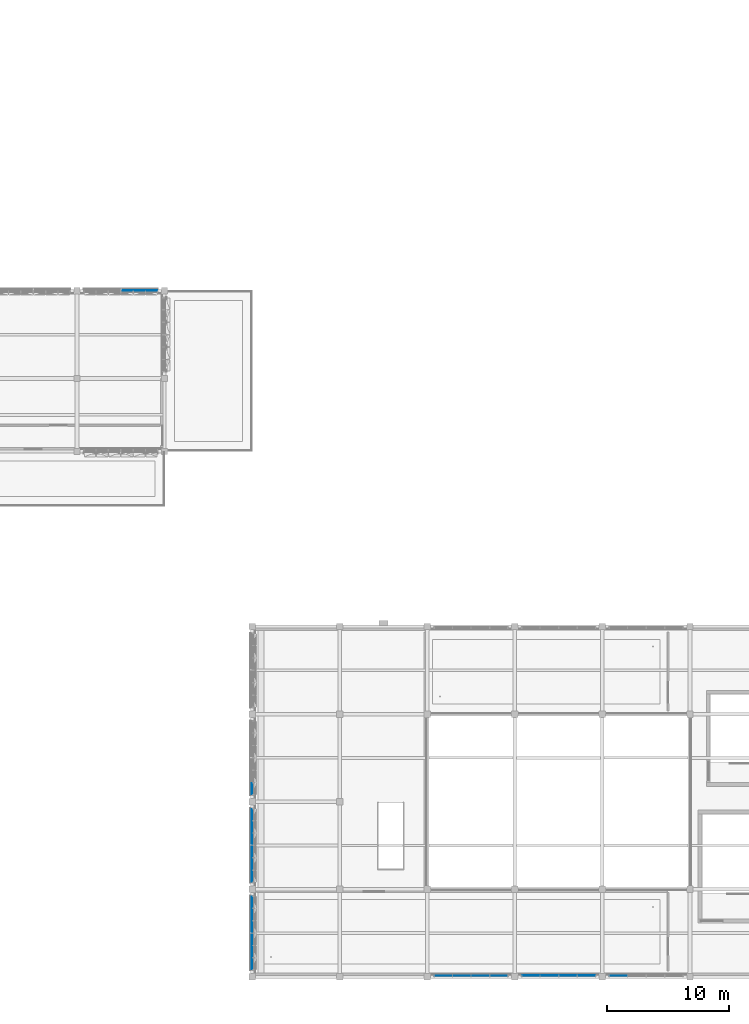
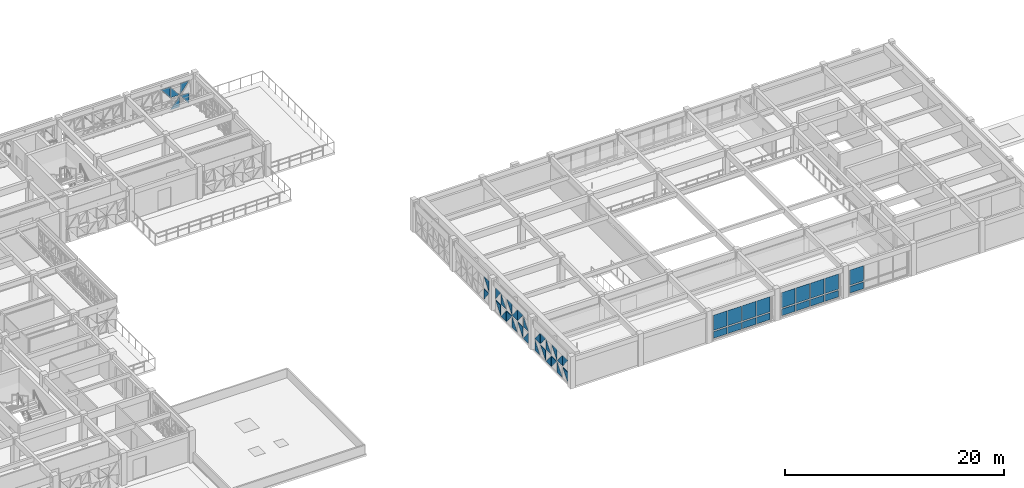
# One storey, part 30 of 74: 49 plates, 7 elements without a shape of their own.
"""IFC4 building model written with IfcOpenShell, lengths in metres."""

from ifc_helpers import new_model, si_unit, direction, frame, origin, origin_2d, place, context, subcontext, project, spatial, polyline, rectangle, outline, extrude, material, layer, layer_set, type_object, element, aggregate, save


model = new_model("IFC4")

# Units and contexts
model_context = context("Model", 3, precision=1e-05, world=origin(), true_north=direction((0.0, 1.0)))
body_context = subcontext(model_context, "Body", "Model", "MODEL_VIEW")
ifc_project = project(units=[si_unit("LENGTHUNIT", "METRE"), si_unit("AREAUNIT", "SQUARE_METRE"), si_unit("VOLUMEUNIT", "CUBIC_METRE"), si_unit("PLANEANGLEUNIT", "RADIAN"), si_unit("MASSUNIT", "GRAM", prefix="KILO")], contexts=[model_context])

# Site, building, storey
site_placement = place(None, origin())
site = spatial("IfcSite", under=ifc_project, at=site_placement, CompositionType="ELEMENT")
building_placement = place(site_placement, origin())
building = spatial("IfcBuilding", under=site, at=building_placement, Name="Alvorim Cloister Faculty of Sciences", CompositionType="ELEMENT")
storey_placement = place(building_placement, frame((0.0, 0.0, 15.75)))
storey = spatial("IfcBuildingStorey", under=building, at=storey_placement, Name="L04", CompositionType="ELEMENT", Elevation=15.75)

# Curtain wall, plates
ifc_material_1 = material(Name="Aluminium and Low-E Glass Curtain Wall", Category="aluminium")
curtain_wall_type_1 = type_object("IfcCurtainWallType", Name="CW-GLZ-6120x2850", PredefinedType="USERDEFINED", material=ifc_material_1)
curtain_wall_1_placement = place(storey_placement, origin())
curtain_wall_1 = element("IfcCurtainWall", 1, at=curtain_wall_1_placement, inside=storey, type_object=curtain_wall_type_1, Name="L04 Entrance and Atrium Glazed Curtain Wall CW-0203", ObjectType="UNITISED CURTAIN WALL", PredefinedType="USERDEFINED")
ifc_material_2 = material(Name="Double Low-E Laminated Glass", Category="glass")
ifc_layer_1 = layer(ifc_material_2, 0.031982421875)
ifc_layer_set_1 = layer_set([ifc_layer_1], Name="Double Low-E Laminated Glass")
plate_type_1 = type_object("IfcPlateType", Name="PN-GLZ-32", PredefinedType="CURTAIN_PANEL", material=ifc_layer_set_1)
plate_1_placement = place(storey_placement, frame((94.921142578125, 0.090087890625, 0.14013671875), z_axis=(0.0, 0.0, 1.0), x_axis=(1.0, 0.0, 0.0)))
plate_1 = element("IfcPlate", 2, at=plate_1_placement, type_object=plate_type_1, Name="CW-10 panel 1.1", PredefinedType="CURTAIN_PANEL", context=body_context, shape_type="SweptSolid", body=[
    extrude(rectangle(XDim=1.4326171875, YDim=0.031982421875, at=origin_2d()), origin(), (0.0, 0.0, 1.0), 0.739990234375),
])
plate_2_placement = place(storey_placement, frame((94.921142578125, 0.090087890625, 1.02001953125), z_axis=(0.0, 0.0, 1.0), x_axis=(1.0, 0.0, 0.0)))
plate_2 = element("IfcPlate", 3, at=plate_2_placement, type_object=plate_type_1, Name="CW-10 panel 1.2", PredefinedType="CURTAIN_PANEL", context=body_context, shape_type="SweptSolid", body=[
    extrude(rectangle(XDim=1.4326171875, YDim=0.031982421875, at=origin_2d()), origin(), (0.0, 0.0, 1.0), 1.68994140625),
])
aggregate(curtain_wall_1, [plate_1, plate_2])

curtain_wall_2_placement = place(storey_placement, origin())
curtain_wall_2 = element("IfcCurtainWall", 4, at=curtain_wall_2_placement, inside=storey, type_object=curtain_wall_type_1, Name="L04 Entrance and Atrium Glazed Curtain Wall CW-0205", ObjectType="UNITISED CURTAIN WALL", PredefinedType="USERDEFINED")
plate_3_placement = place(storey_placement, frame((80.521240234375, 0.090087890625, 0.14013671875), z_axis=(0.0, 0.0, 1.0), x_axis=(1.0, 0.0, 0.0)))
plate_3 = element("IfcPlate", 5, at=plate_3_placement, type_object=plate_type_1, Name="CW-10 panel 1.1", PredefinedType="CURTAIN_PANEL", context=body_context, shape_type="SweptSolid", body=[
    extrude(rectangle(XDim=1.4326171875, YDim=0.031982421875, at=origin_2d()), origin(), (0.0, 0.0, 1.0), 0.739990234375),
])
plate_4_placement = place(storey_placement, frame((80.521240234375, 0.090087890625, 1.02001953125), z_axis=(0.0, 0.0, 1.0), x_axis=(1.0, 0.0, 0.0)))
plate_4 = element("IfcPlate", 6, at=plate_4_placement, type_object=plate_type_1, Name="CW-10 panel 1.2", PredefinedType="CURTAIN_PANEL", context=body_context, shape_type="SweptSolid", body=[
    extrude(rectangle(XDim=1.4326171875, YDim=0.031982421875, at=origin_2d()), origin(), (0.0, 0.0, 1.0), 1.68994140625),
])
plate_5_placement = place(storey_placement, frame((82.034912109375, 0.090087890625, 0.14013671875), z_axis=(0.0, 0.0, 1.0), x_axis=(1.0, 0.0, 0.0)))
plate_5 = element("IfcPlate", 7, at=plate_5_placement, type_object=plate_type_1, Name="CW-10 panel 2.1", PredefinedType="CURTAIN_PANEL", context=body_context, shape_type="SweptSolid", body=[
    extrude(rectangle(XDim=1.465087890625, YDim=0.031982421875, at=origin_2d()), origin(), (0.0, 0.0, 1.0), 0.739990234375),
])
plate_6_placement = place(storey_placement, frame((82.034912109375, 0.090087890625, 1.02001953125), z_axis=(0.0, 0.0, 1.0), x_axis=(1.0, 0.0, 0.0)))
plate_6 = element("IfcPlate", 8, at=plate_6_placement, type_object=plate_type_1, Name="CW-10 panel 2.2", PredefinedType="CURTAIN_PANEL", context=body_context, shape_type="SweptSolid", body=[
    extrude(rectangle(XDim=1.465087890625, YDim=0.031982421875, at=origin_2d()), origin(), (0.0, 0.0, 1.0), 1.68994140625),
])
plate_7_placement = place(storey_placement, frame((83.56494140625, 0.090087890625, 0.14013671875), z_axis=(0.0, 0.0, 1.0), x_axis=(1.0, 0.0, 0.0)))
plate_7 = element("IfcPlate", 9, at=plate_7_placement, type_object=plate_type_1, Name="CW-10 panel 3.1", PredefinedType="CURTAIN_PANEL", context=body_context, shape_type="SweptSolid", body=[
    extrude(rectangle(XDim=1.465087890625, YDim=0.031982421875, at=origin_2d()), origin(), (0.0, 0.0, 1.0), 0.739990234375),
])
plate_8_placement = place(storey_placement, frame((83.56494140625, 0.090087890625, 1.02001953125), z_axis=(0.0, 0.0, 1.0), x_axis=(1.0, 0.0, 0.0)))
plate_8 = element("IfcPlate", 10, at=plate_8_placement, type_object=plate_type_1, Name="CW-10 panel 3.2", PredefinedType="CURTAIN_PANEL", context=body_context, shape_type="SweptSolid", body=[
    extrude(rectangle(XDim=1.465087890625, YDim=0.031982421875, at=origin_2d()), origin(), (0.0, 0.0, 1.0), 1.68994140625),
])
plate_9_placement = place(storey_placement, frame((85.078857421875, 0.090087890625, 0.14013671875), z_axis=(0.0, 0.0, 1.0), x_axis=(1.0, 0.0, 0.0)))
plate_9 = element("IfcPlate", 11, at=plate_9_placement, type_object=plate_type_1, Name="CW-10 panel 4.1", PredefinedType="CURTAIN_PANEL", context=body_context, shape_type="SweptSolid", body=[
    extrude(rectangle(XDim=1.4326171875, YDim=0.031982421875, at=origin_2d()), origin(), (0.0, 0.0, 1.0), 0.739990234375),
])
plate_10_placement = place(storey_placement, frame((85.078857421875, 0.090087890625, 1.02001953125), z_axis=(0.0, 0.0, 1.0), x_axis=(1.0, 0.0, 0.0)))
plate_10 = element("IfcPlate", 12, at=plate_10_placement, type_object=plate_type_1, Name="CW-10 panel 4.2", PredefinedType="CURTAIN_PANEL", context=body_context, shape_type="SweptSolid", body=[
    extrude(rectangle(XDim=1.4326171875, YDim=0.031982421875, at=origin_2d()), origin(), (0.0, 0.0, 1.0), 1.68994140625),
])
aggregate(curtain_wall_2, [plate_3, plate_4, plate_5, plate_6, plate_7, plate_8, plate_9, plate_10])

curtain_wall_type_2 = type_object("IfcCurtainWallType", Name="CW-TRI-6120x2850", PredefinedType="USERDEFINED", material=ifc_material_1)
curtain_wall_3_placement = place(storey_placement, origin())
curtain_wall_3 = element("IfcCurtainWall", 13, at=curtain_wall_3_placement, inside=storey, type_object=curtain_wall_type_2, Name="L04 Diagonal Cassette Curtain Wall CW-0193", ObjectType="UNITISED CURTAIN WALL", PredefinedType="USERDEFINED")
ifc_layer_2 = layer(ifc_material_2, 0.0400390625)
ifc_layer_set_2 = layer_set([ifc_layer_2], Name="Double Low-E Laminated Glass")
plate_type_2 = type_object("IfcPlateType", Name="PN-GLZ-40", PredefinedType="CURTAIN_PANEL", material=ifc_layer_set_2)
plate_11_placement = place(storey_placement, frame((54.032470703125, 56.425048828125, 1.4951171875), z_axis=(0.0, 0.0, 1.0), x_axis=(1.0, 0.0, 0.0)))
plate_11 = element("IfcPlate", 14, at=plate_11_placement, type_object=plate_type_2, Name="Diagonal Glazed Triangle TRI-TR", PredefinedType="CURTAIN_PANEL", context=body_context, shape_type="SweptSolid", body=[
    extrude(outline(polyline([(0.955078125, 0.001953125), (0.955078125, 1.21484375), (0.001953125, 1.21484375), (0.955078125, 0.001953125)])), frame((0.0, 0.02490234375, 0.0), z_axis=(0.0, -1.0, 0.0), x_axis=(1.0, 0.0, 0.0)), (0.0, 0.0, 1.0), 0.050048828125),
])
plate_12_placement = place(storey_placement, frame((55.052490234375, 56.425048828125, 0.139892578125), z_axis=(0.0, 0.0, 1.0), x_axis=(1.0, 0.0, 0.0)))
plate_12 = element("IfcPlate", 15, at=plate_12_placement, type_object=plate_type_2, Name="Diagonal Glazed Triangle TRI-BR", PredefinedType="CURTAIN_PANEL", context=body_context, shape_type="SweptSolid", body=[
    extrude(outline(polyline([(0.001953125, 0.0), (0.955078125, 0.0), (0.955078125, 1.213134765625), (0.001953125, 0.0)])), frame((0.0, 0.02490234375, 0.0), z_axis=(0.0, -1.0, 0.0), x_axis=(1.0, 0.0, 0.0)), (0.0, 0.0, 1.0), 0.050048828125),
])
plate_13_placement = place(storey_placement, frame((55.052490234375, 56.425048828125, 1.4951171875), z_axis=(0.0, 0.0, 1.0), x_axis=(1.0, 0.0, 0.0)))
plate_13 = element("IfcPlate", 16, at=plate_13_placement, type_object=plate_type_2, Name="Diagonal Glazed Triangle TRI-BL", PredefinedType="CURTAIN_PANEL", context=body_context, shape_type="SweptSolid", body=[
    extrude(outline(polyline([(0.0, 0.0), (0.953125, 0.0), (0.0, 1.212890625), (0.0, 0.0)])), frame((0.0, 0.02490234375, 0.0), z_axis=(0.0, -1.0, 0.0), x_axis=(1.0, 0.0, 0.0)), (0.0, 0.0, 1.0), 0.050048828125),
])
plate_14_placement = place(storey_placement, frame((56.072509765625, 56.425048828125, 0.139892578125), z_axis=(0.0, 0.0, 1.0), x_axis=(1.0, 0.0, 0.0)))
plate_14 = element("IfcPlate", 17, at=plate_14_placement, type_object=plate_type_2, Name="Diagonal Glazed Triangle TRI-TR", PredefinedType="CURTAIN_PANEL", context=body_context, shape_type="SweptSolid", body=[
    extrude(outline(polyline([(0.922607421875, 0.001953125), (0.922607421875, 1.215087890625), (0.001953125, 1.215087890625), (0.922607421875, 0.001953125)])), frame((0.0, 0.02490234375, 0.0), z_axis=(0.0, -1.0, 0.0), x_axis=(1.0, 0.0, 0.0)), (0.0, 0.0, 1.0), 0.050048828125),
])
plate_15_placement = place(storey_placement, frame((56.072509765625, 56.425048828125, 1.4951171875), z_axis=(0.0, 0.0, 1.0), x_axis=(1.0, 0.0, 0.0)))
plate_15 = element("IfcPlate", 18, at=plate_15_placement, type_object=plate_type_2, Name="Diagonal Glazed Triangle TRI-TL", PredefinedType="CURTAIN_PANEL", context=body_context, shape_type="SweptSolid", body=[
    extrude(outline(polyline([(0.920654296875, 1.21484375), (0.0, 1.21484375), (0.0, 0.001953125), (0.920654296875, 1.21484375)])), frame((0.0, 0.02490234375, 0.0), z_axis=(0.0, -1.0, 0.0), x_axis=(1.0, 0.0, 0.0)), (0.0, 0.0, 1.0), 0.050048828125),
])
aggregate(curtain_wall_3, [plate_11, plate_12, plate_13, plate_14, plate_15])

curtain_wall_4_placement = place(storey_placement, origin())
curtain_wall_4 = element("IfcCurtainWall", 19, at=curtain_wall_4_placement, inside=storey, type_object=curtain_wall_type_1, Name="L04 Entrance and Atrium Glazed Curtain Wall CW-0204", ObjectType="UNITISED CURTAIN WALL", PredefinedType="USERDEFINED")
plate_16_placement = place(storey_placement, frame((87.72119140625, 0.090087890625, 0.14013671875), z_axis=(0.0, 0.0, 1.0), x_axis=(1.0, 0.0, 0.0)))
plate_16 = element("IfcPlate", 20, at=plate_16_placement, type_object=plate_type_2, Name="CW-10 panel 1.1", PredefinedType="CURTAIN_PANEL", context=body_context, shape_type="SweptSolid", body=[
    extrude(rectangle(XDim=1.4326171875, YDim=0.0400390625, at=origin_2d()), origin(), (0.0, 0.0, 1.0), 0.739990234375),
])
plate_17_placement = place(storey_placement, frame((87.72119140625, 0.090087890625, 1.02001953125), z_axis=(0.0, 0.0, 1.0), x_axis=(1.0, 0.0, 0.0)))
plate_17 = element("IfcPlate", 21, at=plate_17_placement, type_object=plate_type_2, Name="CW-10 panel 1.2", PredefinedType="CURTAIN_PANEL", context=body_context, shape_type="SweptSolid", body=[
    extrude(rectangle(XDim=1.4326171875, YDim=0.0400390625, at=origin_2d()), origin(), (0.0, 0.0, 1.0), 1.68994140625),
])
plate_18_placement = place(storey_placement, frame((89.235107421875, 0.090087890625, 0.14013671875), z_axis=(0.0, 0.0, 1.0), x_axis=(1.0, 0.0, 0.0)))
plate_18 = element("IfcPlate", 22, at=plate_18_placement, type_object=plate_type_2, Name="CW-10 panel 2.1", PredefinedType="CURTAIN_PANEL", context=body_context, shape_type="SweptSolid", body=[
    extrude(rectangle(XDim=1.465087890625, YDim=0.0400390625, at=origin_2d()), origin(), (0.0, 0.0, 1.0), 0.739990234375),
])
plate_19_placement = place(storey_placement, frame((89.235107421875, 0.090087890625, 1.02001953125), z_axis=(0.0, 0.0, 1.0), x_axis=(1.0, 0.0, 0.0)))
plate_19 = element("IfcPlate", 23, at=plate_19_placement, type_object=plate_type_2, Name="CW-10 panel 2.2", PredefinedType="CURTAIN_PANEL", context=body_context, shape_type="SweptSolid", body=[
    extrude(rectangle(XDim=1.465087890625, YDim=0.0400390625, at=origin_2d()), origin(), (0.0, 0.0, 1.0), 1.68994140625),
])
plate_20_placement = place(storey_placement, frame((90.764892578125, 0.090087890625, 0.14013671875), z_axis=(0.0, 0.0, 1.0), x_axis=(1.0, 0.0, 0.0)))
plate_20 = element("IfcPlate", 24, at=plate_20_placement, type_object=plate_type_2, Name="CW-10 panel 3.1", PredefinedType="CURTAIN_PANEL", context=body_context, shape_type="SweptSolid", body=[
    extrude(rectangle(XDim=1.465087890625, YDim=0.0400390625, at=origin_2d()), origin(), (0.0, 0.0, 1.0), 0.739990234375),
])
plate_21_placement = place(storey_placement, frame((90.764892578125, 0.090087890625, 1.02001953125), z_axis=(0.0, 0.0, 1.0), x_axis=(1.0, 0.0, 0.0)))
plate_21 = element("IfcPlate", 25, at=plate_21_placement, type_object=plate_type_2, Name="CW-10 panel 3.2", PredefinedType="CURTAIN_PANEL", context=body_context, shape_type="SweptSolid", body=[
    extrude(rectangle(XDim=1.465087890625, YDim=0.0400390625, at=origin_2d()), origin(), (0.0, 0.0, 1.0), 1.68994140625),
])
plate_22_placement = place(storey_placement, frame((92.27880859375, 0.090087890625, 0.14013671875), z_axis=(0.0, 0.0, 1.0), x_axis=(1.0, 0.0, 0.0)))
plate_22 = element("IfcPlate", 26, at=plate_22_placement, type_object=plate_type_2, Name="CW-10 panel 4.1", PredefinedType="CURTAIN_PANEL", context=body_context, shape_type="SweptSolid", body=[
    extrude(rectangle(XDim=1.4326171875, YDim=0.0400390625, at=origin_2d()), origin(), (0.0, 0.0, 1.0), 0.739990234375),
])
plate_23_placement = place(storey_placement, frame((92.27880859375, 0.090087890625, 1.02001953125), z_axis=(0.0, 0.0, 1.0), x_axis=(1.0, 0.0, 0.0)))
plate_23 = element("IfcPlate", 27, at=plate_23_placement, type_object=plate_type_2, Name="CW-10 panel 4.2", PredefinedType="CURTAIN_PANEL", context=body_context, shape_type="SweptSolid", body=[
    extrude(rectangle(XDim=1.4326171875, YDim=0.0400390625, at=origin_2d()), origin(), (0.0, 0.0, 1.0), 1.68994140625),
])
aggregate(curtain_wall_4, [plate_16, plate_17, plate_18, plate_19, plate_20, plate_21, plate_22, plate_23])

curtain_wall_type_3 = type_object("IfcCurtainWallType", Name="CW-TRI-6120x2746", PredefinedType="USERDEFINED", material=ifc_material_1)
curtain_wall_5_placement = place(storey_placement, origin())
curtain_wall_5 = element("IfcCurtainWall", 28, at=curtain_wall_5_placement, inside=storey, type_object=curtain_wall_type_3, Name="L04 Diagonal Cassette Curtain Wall CW-0206", ObjectType="UNITISED CURTAIN WALL", PredefinedType="USERDEFINED")
plate_24_placement = place(storey_placement, frame((64.77490234375, 0.60498046875, 0.139892578125), z_axis=(0.0, 0.0, 1.0), x_axis=(0.0, 1.0, 0.0)))
plate_24 = element("IfcPlate", 29, at=plate_24_placement, type_object=plate_type_2, Name="Diagonal Glazed Triangle TRI-TL", PredefinedType="CURTAIN_PANEL", context=body_context, shape_type="SweptSolid", body=[
    extrude(outline(polyline([(0.920654296875, 1.162841796875), (0.0, 1.162841796875), (0.0, 0.001953125), (0.920654296875, 1.162841796875)])), frame((0.0, 0.02490234375, 0.0), z_axis=(0.0, -1.0, 0.0), x_axis=(1.0, 0.0, 0.0)), (0.0, 0.0, 1.0), 0.050048828125),
])
plate_25_placement = place(storey_placement, frame((64.77490234375, 0.60498046875, 1.44287109375), z_axis=(0.0, 0.0, 1.0), x_axis=(0.0, 1.0, 0.0)))
plate_25 = element("IfcPlate", 30, at=plate_25_placement, type_object=plate_type_2, Name="Diagonal Glazed Triangle TRI-TR", PredefinedType="CURTAIN_PANEL", context=body_context, shape_type="SweptSolid", body=[
    extrude(outline(polyline([(0.922607421875, 0.001953125), (0.922607421875, 1.162841796875), (0.001953125, 1.162841796875), (0.922607421875, 0.001953125)])), frame((0.0, 0.02490234375, 0.0), z_axis=(0.0, -1.0, 0.0), x_axis=(1.0, 0.0, 0.0)), (0.0, 0.0, 1.0), 0.050048828125),
])
plate_26_placement = place(storey_placement, frame((64.77490234375, 1.592529296875, 0.139892578125), z_axis=(0.0, 0.0, 1.0), x_axis=(0.0, 1.0, 0.0)))
plate_26 = element("IfcPlate", 31, at=plate_26_placement, type_object=plate_type_2, Name="Diagonal Glazed Triangle TRI-BR", PredefinedType="CURTAIN_PANEL", context=body_context, shape_type="SweptSolid", body=[
    extrude(outline(polyline([(0.001953125, 0.0), (0.955078125, 0.0), (0.955078125, 1.160888671875), (0.001953125, 0.0)])), frame((0.0, 0.02490234375, 0.0), z_axis=(0.0, -1.0, 0.0), x_axis=(1.0, 0.0, 0.0)), (0.0, 0.0, 1.0), 0.050048828125),
])
plate_27_placement = place(storey_placement, frame((64.77490234375, 1.592529296875, 1.44287109375), z_axis=(0.0, 0.0, 1.0), x_axis=(0.0, 1.0, 0.0)))
plate_27 = element("IfcPlate", 32, at=plate_27_placement, type_object=plate_type_2, Name="Diagonal Glazed Triangle TRI-BL", PredefinedType="CURTAIN_PANEL", context=body_context, shape_type="SweptSolid", body=[
    extrude(outline(polyline([(0.0, 0.0), (0.953125, 0.0), (0.0, 1.160888671875), (0.0, 0.0)])), frame((0.0, 0.02490234375, 0.0), z_axis=(0.0, -1.0, 0.0), x_axis=(1.0, 0.0, 0.0)), (0.0, 0.0, 1.0), 0.050048828125),
])
plate_28_placement = place(storey_placement, frame((64.77490234375, 2.612548828125, 0.139892578125), z_axis=(0.0, 0.0, 1.0), x_axis=(0.0, 1.0, 0.0)))
plate_28 = element("IfcPlate", 33, at=plate_28_placement, type_object=plate_type_2, Name="Diagonal Glazed Triangle TRI-TR", PredefinedType="CURTAIN_PANEL", context=body_context, shape_type="SweptSolid", body=[
    extrude(outline(polyline([(0.955078125, 0.001953125), (0.955078125, 1.162841796875), (0.001953125, 1.162841796875), (0.955078125, 0.001953125)])), frame((0.0, 0.02490234375, 0.0), z_axis=(0.0, -1.0, 0.0), x_axis=(1.0, 0.0, 0.0)), (0.0, 0.0, 1.0), 0.050048828125),
])
plate_29_placement = place(storey_placement, frame((64.77490234375, 2.612548828125, 1.44287109375), z_axis=(0.0, 0.0, 1.0), x_axis=(0.0, 1.0, 0.0)))
plate_29 = element("IfcPlate", 34, at=plate_29_placement, type_object=plate_type_2, Name="Diagonal Glazed Triangle TRI-TL", PredefinedType="CURTAIN_PANEL", context=body_context, shape_type="SweptSolid", body=[
    extrude(outline(polyline([(0.953125, 1.162841796875), (0.0, 1.162841796875), (0.0, 0.001953125), (0.953125, 1.162841796875)])), frame((0.0, 0.02490234375, 0.0), z_axis=(0.0, -1.0, 0.0), x_axis=(1.0, 0.0, 0.0)), (0.0, 0.0, 1.0), 0.050048828125),
])
plate_30_placement = place(storey_placement, frame((64.77490234375, 3.632568359375, 0.139892578125), z_axis=(0.0, 0.0, 1.0), x_axis=(0.0, 1.0, 0.0)))
plate_30 = element("IfcPlate", 35, at=plate_30_placement, type_object=plate_type_2, Name="Diagonal Glazed Triangle TRI-BL", PredefinedType="CURTAIN_PANEL", context=body_context, shape_type="SweptSolid", body=[
    extrude(outline(polyline([(0.0, 0.0), (0.953125, 0.0), (0.0, 1.160888671875), (0.0, 0.0)])), frame((0.0, 0.02490234375, 0.0), z_axis=(0.0, -1.0, 0.0), x_axis=(1.0, 0.0, 0.0)), (0.0, 0.0, 1.0), 0.050048828125),
])
plate_31_placement = place(storey_placement, frame((64.77490234375, 3.632568359375, 1.44287109375), z_axis=(0.0, 0.0, 1.0), x_axis=(0.0, 1.0, 0.0)))
plate_31 = element("IfcPlate", 36, at=plate_31_placement, type_object=plate_type_2, Name="Diagonal Glazed Triangle TRI-BR", PredefinedType="CURTAIN_PANEL", context=body_context, shape_type="SweptSolid", body=[
    extrude(outline(polyline([(0.001953125, 0.0), (0.955078125, 0.0), (0.955078125, 1.160888671875), (0.001953125, 0.0)])), frame((0.0, 0.02490234375, 0.0), z_axis=(0.0, -1.0, 0.0), x_axis=(1.0, 0.0, 0.0)), (0.0, 0.0, 1.0), 0.050048828125),
])
plate_32_placement = place(storey_placement, frame((64.77490234375, 4.652587890625, 0.139892578125), z_axis=(0.0, 0.0, 1.0), x_axis=(0.0, 1.0, 0.0)))
plate_32 = element("IfcPlate", 37, at=plate_32_placement, type_object=plate_type_2, Name="Diagonal Glazed Triangle TRI-TL", PredefinedType="CURTAIN_PANEL", context=body_context, shape_type="SweptSolid", body=[
    extrude(outline(polyline([(0.953125, 1.162841796875), (0.0, 1.162841796875), (0.0, 0.001953125), (0.953125, 1.162841796875)])), frame((0.0, 0.02490234375, 0.0), z_axis=(0.0, -1.0, 0.0), x_axis=(1.0, 0.0, 0.0)), (0.0, 0.0, 1.0), 0.050048828125),
])
plate_33_placement = place(storey_placement, frame((64.77490234375, 4.652587890625, 1.44287109375), z_axis=(0.0, 0.0, 1.0), x_axis=(0.0, 1.0, 0.0)))
plate_33 = element("IfcPlate", 38, at=plate_33_placement, type_object=plate_type_2, Name="Diagonal Glazed Triangle TRI-TR", PredefinedType="CURTAIN_PANEL", context=body_context, shape_type="SweptSolid", body=[
    extrude(outline(polyline([(0.955078125, 0.001953125), (0.955078125, 1.162841796875), (0.001953125, 1.162841796875), (0.955078125, 0.001953125)])), frame((0.0, 0.02490234375, 0.0), z_axis=(0.0, -1.0, 0.0), x_axis=(1.0, 0.0, 0.0)), (0.0, 0.0, 1.0), 0.050048828125),
])
plate_34_placement = place(storey_placement, frame((64.77490234375, 5.672607421875, 0.139892578125), z_axis=(0.0, 0.0, 1.0), x_axis=(0.0, 1.0, 0.0)))
plate_34 = element("IfcPlate", 39, at=plate_34_placement, type_object=plate_type_2, Name="Diagonal Glazed Triangle TRI-BR", PredefinedType="CURTAIN_PANEL", context=body_context, shape_type="SweptSolid", body=[
    extrude(outline(polyline([(0.001953125, 0.0), (0.922607421875, 0.0), (0.922607421875, 1.160888671875), (0.001953125, 0.0)])), frame((0.0, 0.02490234375, 0.0), z_axis=(0.0, -1.0, 0.0), x_axis=(1.0, 0.0, 0.0)), (0.0, 0.0, 1.0), 0.050048828125),
])
plate_35_placement = place(storey_placement, frame((64.77490234375, 5.672607421875, 1.44287109375), z_axis=(0.0, 0.0, 1.0), x_axis=(0.0, 1.0, 0.0)))
plate_35 = element("IfcPlate", 40, at=plate_35_placement, type_object=plate_type_2, Name="Diagonal Glazed Triangle TRI-BL", PredefinedType="CURTAIN_PANEL", context=body_context, shape_type="SweptSolid", body=[
    extrude(outline(polyline([(0.0, 0.0), (0.920654296875, 0.0), (0.0, 1.160888671875), (0.0, 0.0)])), frame((0.0, 0.02490234375, 0.0), z_axis=(0.0, -1.0, 0.0), x_axis=(1.0, 0.0, 0.0)), (0.0, 0.0, 1.0), 0.050048828125),
])
aggregate(curtain_wall_5, [plate_24, plate_25, plate_26, plate_27, plate_28, plate_29, plate_30, plate_31, plate_32, plate_33, plate_34, plate_35])

curtain_wall_6_placement = place(storey_placement, origin())
curtain_wall_6 = element("IfcCurtainWall", 41, at=curtain_wall_6_placement, inside=storey, type_object=curtain_wall_type_2, Name="L04 Diagonal Cassette Curtain Wall CW-0207", ObjectType="UNITISED CURTAIN WALL", PredefinedType="USERDEFINED")
plate_36_placement = place(storey_placement, frame((64.77490234375, 7.804931640625, 0.139892578125), z_axis=(0.0, 0.0, 1.0), x_axis=(0.0, 1.0, 0.0)))
plate_36 = element("IfcPlate", 42, at=plate_36_placement, type_object=plate_type_2, Name="Diagonal Glazed Triangle TRI-BL", PredefinedType="CURTAIN_PANEL", context=body_context, shape_type="SweptSolid", body=[
    extrude(outline(polyline([(0.0, 0.0), (0.920654296875, 0.0), (0.0, 1.213134765625), (0.0, 0.0)])), frame((0.0, 0.02490234375, 0.0), z_axis=(0.0, -1.0, 0.0), x_axis=(1.0, 0.0, 0.0)), (0.0, 0.0, 1.0), 0.050048828125),
])
plate_37_placement = place(storey_placement, frame((64.77490234375, 7.804931640625, 1.4951171875), z_axis=(0.0, 0.0, 1.0), x_axis=(0.0, 1.0, 0.0)))
plate_37 = element("IfcPlate", 43, at=plate_37_placement, type_object=plate_type_2, Name="Diagonal Glazed Triangle TRI-BR", PredefinedType="CURTAIN_PANEL", context=body_context, shape_type="SweptSolid", body=[
    extrude(outline(polyline([(0.001953125, 0.0), (0.922607421875, 0.0), (0.922607421875, 1.212890625), (0.001953125, 0.0)])), frame((0.0, 0.02490234375, 0.0), z_axis=(0.0, -1.0, 0.0), x_axis=(1.0, 0.0, 0.0)), (0.0, 0.0, 1.0), 0.050048828125),
])
plate_38_placement = place(storey_placement, frame((64.77490234375, 8.79248046875, 0.139892578125), z_axis=(0.0, 0.0, 1.0), x_axis=(0.0, 1.0, 0.0)))
plate_38 = element("IfcPlate", 44, at=plate_38_placement, type_object=plate_type_2, Name="Diagonal Glazed Triangle TRI-TL", PredefinedType="CURTAIN_PANEL", context=body_context, shape_type="SweptSolid", body=[
    extrude(outline(polyline([(0.953125, 1.215087890625), (0.0, 1.215087890625), (0.0, 0.001953125), (0.953125, 1.215087890625)])), frame((0.0, 0.02490234375, 0.0), z_axis=(0.0, -1.0, 0.0), x_axis=(1.0, 0.0, 0.0)), (0.0, 0.0, 1.0), 0.050048828125),
])
plate_39_placement = place(storey_placement, frame((64.77490234375, 8.79248046875, 1.4951171875), z_axis=(0.0, 0.0, 1.0), x_axis=(0.0, 1.0, 0.0)))
plate_39 = element("IfcPlate", 45, at=plate_39_placement, type_object=plate_type_2, Name="Diagonal Glazed Triangle TRI-TR", PredefinedType="CURTAIN_PANEL", context=body_context, shape_type="SweptSolid", body=[
    extrude(outline(polyline([(0.955078125, 0.001953125), (0.955078125, 1.21484375), (0.001953125, 1.21484375), (0.955078125, 0.001953125)])), frame((0.0, 0.02490234375, 0.0), z_axis=(0.0, -1.0, 0.0), x_axis=(1.0, 0.0, 0.0)), (0.0, 0.0, 1.0), 0.050048828125),
])
plate_40_placement = place(storey_placement, frame((64.77490234375, 9.8125, 0.139892578125), z_axis=(0.0, 0.0, 1.0), x_axis=(0.0, 1.0, 0.0)))
plate_40 = element("IfcPlate", 46, at=plate_40_placement, type_object=plate_type_2, Name="Diagonal Glazed Triangle TRI-BR", PredefinedType="CURTAIN_PANEL", context=body_context, shape_type="SweptSolid", body=[
    extrude(outline(polyline([(0.001953125, 0.0), (0.955078125, 0.0), (0.955078125, 1.213134765625), (0.001953125, 0.0)])), frame((0.0, 0.02490234375, 0.0), z_axis=(0.0, -1.0, 0.0), x_axis=(1.0, 0.0, 0.0)), (0.0, 0.0, 1.0), 0.050048828125),
])
plate_41_placement = place(storey_placement, frame((64.77490234375, 9.8125, 1.4951171875), z_axis=(0.0, 0.0, 1.0), x_axis=(0.0, 1.0, 0.0)))
plate_41 = element("IfcPlate", 47, at=plate_41_placement, type_object=plate_type_2, Name="Diagonal Glazed Triangle TRI-BL", PredefinedType="CURTAIN_PANEL", context=body_context, shape_type="SweptSolid", body=[
    extrude(outline(polyline([(0.0, 0.0), (0.953125, 0.0), (0.0, 1.212890625), (0.0, 0.0)])), frame((0.0, 0.02490234375, 0.0), z_axis=(0.0, -1.0, 0.0), x_axis=(1.0, 0.0, 0.0)), (0.0, 0.0, 1.0), 0.050048828125),
])
plate_42_placement = place(storey_placement, frame((64.77490234375, 10.83251953125, 0.139892578125), z_axis=(0.0, 0.0, 1.0), x_axis=(0.0, 1.0, 0.0)))
plate_42 = element("IfcPlate", 48, at=plate_42_placement, type_object=plate_type_2, Name="Diagonal Glazed Triangle TRI-TR", PredefinedType="CURTAIN_PANEL", context=body_context, shape_type="SweptSolid", body=[
    extrude(outline(polyline([(0.955078125, 0.001953125), (0.955078125, 1.215087890625), (0.001953125, 1.215087890625), (0.955078125, 0.001953125)])), frame((0.0, 0.02490234375, 0.0), z_axis=(0.0, -1.0, 0.0), x_axis=(1.0, 0.0, 0.0)), (0.0, 0.0, 1.0), 0.050048828125),
])
plate_43_placement = place(storey_placement, frame((64.77490234375, 10.83251953125, 1.4951171875), z_axis=(0.0, 0.0, 1.0), x_axis=(0.0, 1.0, 0.0)))
plate_43 = element("IfcPlate", 49, at=plate_43_placement, type_object=plate_type_2, Name="Diagonal Glazed Triangle TRI-TL", PredefinedType="CURTAIN_PANEL", context=body_context, shape_type="SweptSolid", body=[
    extrude(outline(polyline([(0.953125, 1.21484375), (0.0, 1.21484375), (0.0, 0.001953125), (0.953125, 1.21484375)])), frame((0.0, 0.02490234375, 0.0), z_axis=(0.0, -1.0, 0.0), x_axis=(1.0, 0.0, 0.0)), (0.0, 0.0, 1.0), 0.050048828125),
])
plate_44_placement = place(storey_placement, frame((64.77490234375, 11.8525390625, 0.139892578125), z_axis=(0.0, 0.0, 1.0), x_axis=(0.0, 1.0, 0.0)))
plate_44 = element("IfcPlate", 50, at=plate_44_placement, type_object=plate_type_2, Name="Diagonal Glazed Triangle TRI-BL", PredefinedType="CURTAIN_PANEL", context=body_context, shape_type="SweptSolid", body=[
    extrude(outline(polyline([(0.0, 0.0), (0.953125, 0.0), (0.0, 1.213134765625), (0.0, 0.0)])), frame((0.0, 0.02490234375, 0.0), z_axis=(0.0, -1.0, 0.0), x_axis=(1.0, 0.0, 0.0)), (0.0, 0.0, 1.0), 0.050048828125),
])
plate_45_placement = place(storey_placement, frame((64.77490234375, 11.8525390625, 1.4951171875), z_axis=(0.0, 0.0, 1.0), x_axis=(0.0, 1.0, 0.0)))
plate_45 = element("IfcPlate", 51, at=plate_45_placement, type_object=plate_type_2, Name="Diagonal Glazed Triangle TRI-BR", PredefinedType="CURTAIN_PANEL", context=body_context, shape_type="SweptSolid", body=[
    extrude(outline(polyline([(0.001953125, 0.0), (0.955078125, 0.0), (0.955078125, 1.212890625), (0.001953125, 0.0)])), frame((0.0, 0.02490234375, 0.0), z_axis=(0.0, -1.0, 0.0), x_axis=(1.0, 0.0, 0.0)), (0.0, 0.0, 1.0), 0.050048828125),
])
plate_46_placement = place(storey_placement, frame((64.77490234375, 12.87255859375, 0.139892578125), z_axis=(0.0, 0.0, 1.0), x_axis=(0.0, 1.0, 0.0)))
plate_46 = element("IfcPlate", 52, at=plate_46_placement, type_object=plate_type_2, Name="Diagonal Glazed Triangle TRI-TL", PredefinedType="CURTAIN_PANEL", context=body_context, shape_type="SweptSolid", body=[
    extrude(outline(polyline([(0.920654296875, 1.215087890625), (0.0, 1.215087890625), (0.0, 0.001953125), (0.920654296875, 1.215087890625)])), frame((0.0, 0.02490234375, 0.0), z_axis=(0.0, -1.0, 0.0), x_axis=(1.0, 0.0, 0.0)), (0.0, 0.0, 1.0), 0.050048828125),
])
plate_47_placement = place(storey_placement, frame((64.77490234375, 12.87255859375, 1.4951171875), z_axis=(0.0, 0.0, 1.0), x_axis=(0.0, 1.0, 0.0)))
plate_47 = element("IfcPlate", 53, at=plate_47_placement, type_object=plate_type_2, Name="Diagonal Glazed Triangle TRI-TR", PredefinedType="CURTAIN_PANEL", context=body_context, shape_type="SweptSolid", body=[
    extrude(outline(polyline([(0.922607421875, 0.001953125), (0.922607421875, 1.21484375), (0.001953125, 1.21484375), (0.922607421875, 0.001953125)])), frame((0.0, 0.02490234375, 0.0), z_axis=(0.0, -1.0, 0.0), x_axis=(1.0, 0.0, 0.0)), (0.0, 0.0, 1.0), 0.050048828125),
])
aggregate(curtain_wall_6, [plate_36, plate_37, plate_38, plate_39, plate_40, plate_41, plate_42, plate_43, plate_44, plate_45, plate_46, plate_47])

curtain_wall_7_placement = place(storey_placement, origin())
curtain_wall_7 = element("IfcCurtainWall", 54, at=curtain_wall_7_placement, inside=storey, type_object=curtain_wall_type_2, Name="L04 Diagonal Cassette Curtain Wall CW-0208", ObjectType="UNITISED CURTAIN WALL", PredefinedType="USERDEFINED")
plate_48_placement = place(storey_placement, frame((64.77490234375, 15.0048828125, 0.139892578125), z_axis=(0.0, 0.0, 1.0), x_axis=(0.0, 1.0, 0.0)))
plate_48 = element("IfcPlate", 55, at=plate_48_placement, type_object=plate_type_2, Name="Diagonal Glazed Triangle TRI-TR", PredefinedType="CURTAIN_PANEL", context=body_context, shape_type="SweptSolid", body=[
    extrude(outline(polyline([(0.922607421875, 0.001953125), (0.922607421875, 1.215087890625), (0.001953125, 1.215087890625), (0.922607421875, 0.001953125)])), frame((0.0, 0.02490234375, 0.0), z_axis=(0.0, -1.0, 0.0), x_axis=(1.0, 0.0, 0.0)), (0.0, 0.0, 1.0), 0.050048828125),
])
plate_49_placement = place(storey_placement, frame((64.77490234375, 15.0048828125, 1.4951171875), z_axis=(0.0, 0.0, 1.0), x_axis=(0.0, 1.0, 0.0)))
plate_49 = element("IfcPlate", 56, at=plate_49_placement, type_object=plate_type_2, Name="Diagonal Glazed Triangle TRI-TL", PredefinedType="CURTAIN_PANEL", context=body_context, shape_type="SweptSolid", body=[
    extrude(outline(polyline([(0.920654296875, 1.21484375), (0.0, 1.21484375), (0.0, 0.001953125), (0.920654296875, 1.21484375)])), frame((0.0, 0.02490234375, 0.0), z_axis=(0.0, -1.0, 0.0), x_axis=(1.0, 0.0, 0.0)), (0.0, 0.0, 1.0), 0.050048828125),
])
aggregate(curtain_wall_7, [plate_48, plate_49])

save(model, "model.ifc")
